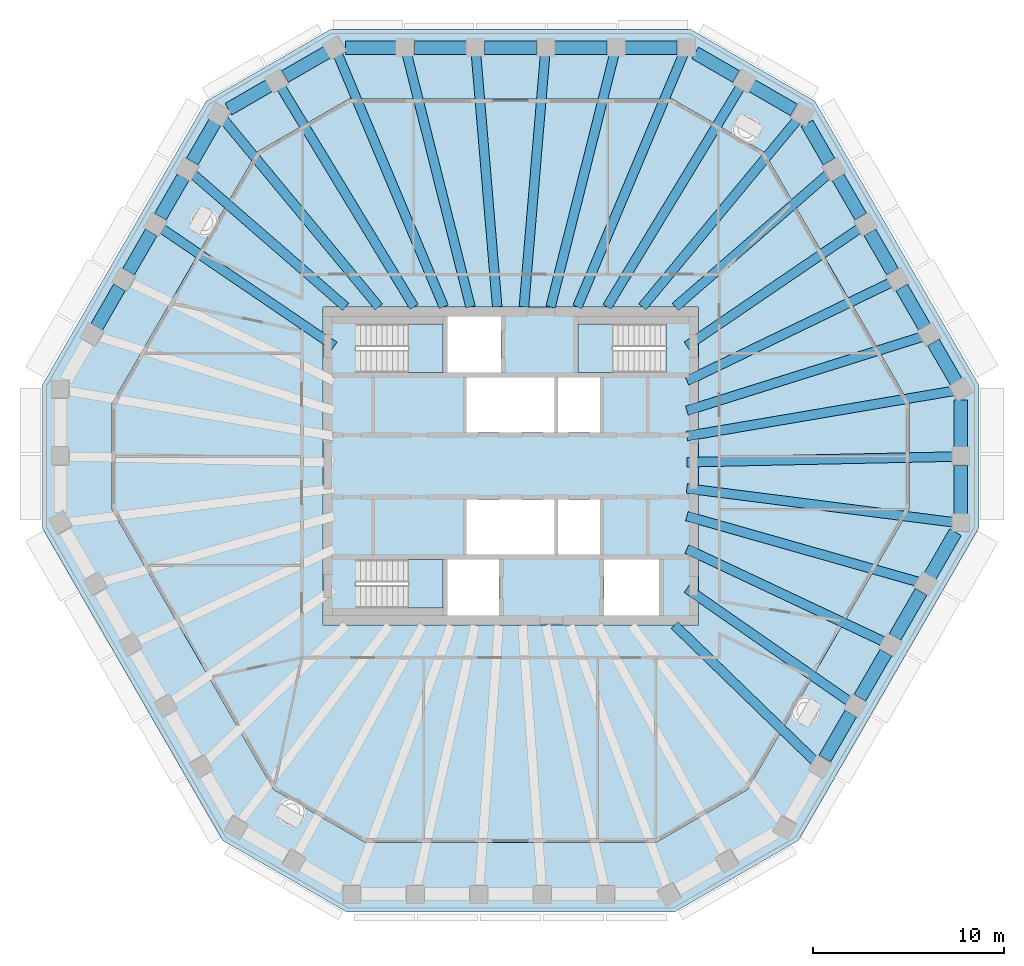
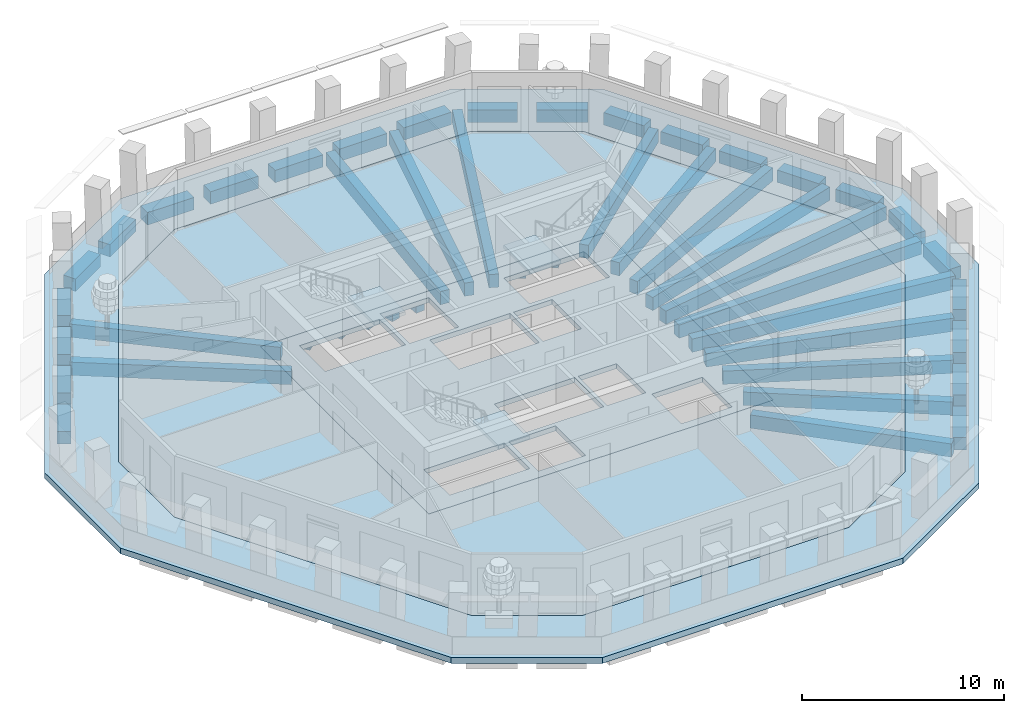
# One storey, part 2 of 11: 47 beams, 6 slabs, 3 elements without a shape of their own.
"""IFC4 building model written with IfcOpenShell, lengths in metres."""

from ifc_helpers import new_model, si_unit, direction, frame, origin, origin_2d, place, context, subcontext, project, spatial, polyline, rectangle, outline, extrude, material, layer, layer_set, material_profile, profile_set, type_object, element, aggregate, save


model = new_model("IFC4")

# Units and contexts
model_context = context("Model", 3, precision=1e-05, world=origin(), true_north=direction((0.0, 1.0)))
body_context = subcontext(model_context, "Body", "Model", "MODEL_VIEW")
ifc_project = project(units=[si_unit("LENGTHUNIT", "METRE"), si_unit("AREAUNIT", "SQUARE_METRE"), si_unit("VOLUMEUNIT", "CUBIC_METRE"), si_unit("PLANEANGLEUNIT", "RADIAN"), si_unit("MASSUNIT", "GRAM", prefix="KILO")], contexts=[model_context])

# Site, building, storey
site_placement = place(None, origin())
site = spatial("IfcSite", under=ifc_project, at=site_placement, CompositionType="ELEMENT")
building_placement = place(site_placement, origin())
building = spatial("IfcBuilding", under=site, at=building_placement, Name="Frailejon Research Tower", CompositionType="ELEMENT")
storey_placement = place(building_placement, frame((0.0, 0.0, 279.0)))
storey = spatial("IfcBuildingStorey", under=building, at=storey_placement, Name="L61", CompositionType="ELEMENT", Elevation=279.0)

# Beams
ifc_material_1 = material(Name="Concrete C60/75", Category="concrete")
ifc_material_profile_1 = material_profile(ifc_material_1, rectangle(XDim=0.5, YDim=0.800048828125, at=origin_2d()), Name="Girder 500x800")
ifc_profile_set_1 = profile_set([ifc_material_profile_1], Name="Concrete C60/75")
beam_type_1 = type_object("IfcBeamType", Name="Girder 500x800", PredefinedType="BEAM", material=ifc_profile_set_1)
beam_1_placement = place(storey_placement, frame((23.287841796875, -2.957763671875, -0.699951171875), z_axis=(-0.992030409181, 0.125998679599, 0.0), x_axis=(-0.125998679599, -0.992030409181, 0.0)))
element("IfcBeam", 1, at=beam_1_placement, inside=storey, type_object=beam_type_1, Name="Girder 500x800", PredefinedType="BEAM", context=body_context, shape_type="SweptSolid", body=[
    extrude(rectangle(XDim=0.5, YDim=0.800048828125, at=origin_2d()), origin(), (0.0, 0.0, 1.0), 14.150634765625),
])
beam_2_placement = place(storey_placement, frame((23.2890625, 0.495849609375, -0.699951171875), z_axis=(-0.999773541209, -0.02128065551, 0.0), x_axis=(0.02128065551, -0.999773541209, 0.0)))
element("IfcBeam", 2, at=beam_2_placement, inside=storey, type_object=beam_type_1, Name="Girder 500x800", PredefinedType="BEAM", context=body_context, shape_type="SweptSolid", body=[
    extrude(rectangle(XDim=0.5, YDim=0.800048828125, at=origin_2d()), origin(), (0.0, 0.0, 1.0), 14.042236328125),
])
beam_3_placement = place(storey_placement, frame((23.262451171875, 3.9453125, -0.699951171875), z_axis=(-0.98591864341, -0.167225681568, 0.0), x_axis=(0.167225681568, -0.98591864341, 0.0)))
element("IfcBeam", 3, at=beam_3_placement, inside=storey, type_object=beam_type_1, Name="Girder 500x800", PredefinedType="BEAM", context=body_context, shape_type="SweptSolid", body=[
    extrude(rectangle(XDim=0.5, YDim=0.800048828125, at=origin_2d()), origin(), (0.0, 0.0, 1.0), 14.212646484375),
])
beam_4_placement = place(storey_placement, frame((21.625244140625, 6.79248046875, -0.699951171875), z_axis=(-0.954046614991, -0.299658232699, 0.0), x_axis=(0.299658232699, -0.954046614991, 0.0)))
element("IfcBeam", 4, at=beam_4_placement, inside=storey, type_object=beam_type_1, Name="Girder 500x800", PredefinedType="BEAM", context=body_context, shape_type="SweptSolid", body=[
    extrude(rectangle(XDim=0.5, YDim=0.800048828125, at=origin_2d()), origin(), (0.0, 0.0, 1.0), 12.971435546875),
])
beam_5_placement = place(storey_placement, frame((19.984619140625, 9.640380859375, -0.699951171875), z_axis=(-0.900683233217, -0.434476366907, 0.0), x_axis=(0.434476366907, -0.900683233217, 0.0)))
element("IfcBeam", 5, at=beam_5_placement, inside=storey, type_object=beam_type_1, Name="Girder 500x800", PredefinedType="BEAM", context=body_context, shape_type="SweptSolid", body=[
    extrude(rectangle(XDim=0.5, YDim=0.800048828125, at=origin_2d()), origin(), (0.0, 0.0, 1.0), 11.918212890625),
])
beam_6_placement = place(storey_placement, frame((18.341064453125, 12.487060546875, -0.699951171875), z_axis=(-0.826608036281, -0.562778068475, 0.0), x_axis=(0.562778068475, -0.826608036281, 0.0)))
element("IfcBeam", 6, at=beam_6_placement, inside=storey, type_object=beam_type_1, Name="Girder 500x800", PredefinedType="BEAM", context=body_context, shape_type="SweptSolid", body=[
    extrude(rectangle(XDim=0.5, YDim=0.800048828125, at=origin_2d()), origin(), (0.0, 0.0, 1.0), 10.998046875),
])
beam_7_placement = place(storey_placement, frame((16.691162109375, 15.34033203125, -0.699951171875), z_axis=(-0.754706145797, -0.656062979824, 0.0), x_axis=(0.656062979824, -0.754706145797, 0.0)))
element("IfcBeam", 7, at=beam_7_placement, inside=storey, type_object=beam_type_1, Name="Girder 500x800", PredefinedType="BEAM", context=body_context, shape_type="SweptSolid", body=[
    extrude(rectangle(XDim=0.5, YDim=0.800048828125, at=origin_2d()), origin(), (0.0, 0.0, 1.0), 10.65478515625),
])
beam_8_placement = place(storey_placement, frame((15.063720703125, 18.1923828125, -0.699951171875), z_axis=(-0.637768282334, -0.770228289566, 0.0), x_axis=(0.770228289566, -0.637768282334, 0.0)))
element("IfcBeam", 8, at=beam_8_placement, inside=storey, type_object=beam_type_1, Name="Girder 500x800", PredefinedType="BEAM", context=body_context, shape_type="SweptSolid", body=[
    extrude(rectangle(XDim=0.5, YDim=0.800048828125, at=origin_2d()), origin(), (0.0, 0.0, 1.0), 12.7783203125),
])
beam_9_placement = place(storey_placement, frame((12.073974609375, 19.9208984375, -0.699951171875), z_axis=(-0.518332908054, -0.855178926558, 0.0), x_axis=(0.855178926558, -0.518332908054, 0.0)))
element("IfcBeam", 9, at=beam_9_placement, inside=storey, type_object=beam_type_1, Name="Girder 500x800", PredefinedType="BEAM", context=body_context, shape_type="SweptSolid", body=[
    extrude(rectangle(XDim=0.5, YDim=0.800048828125, at=origin_2d()), origin(), (0.0, 0.0, 1.0), 13.5302734375),
])
beam_10_placement = place(storey_placement, frame((9.068359375, 21.61328125, -0.699951171875), z_axis=(-0.386901755212, -0.922120942075, 0.0), x_axis=(0.922120942075, -0.386901755212, 0.0)))
element("IfcBeam", 10, at=beam_10_placement, inside=storey, type_object=beam_type_1, Name="Girder 500x800", PredefinedType="BEAM", context=body_context, shape_type="SweptSolid", body=[
    extrude(rectangle(XDim=0.5, YDim=0.800048828125, at=origin_2d()), origin(), (0.0, 0.0, 1.0), 14.38330078125),
])
beam_11_placement = place(storey_placement, frame((5.44287109375, 21.62060546875, -0.699951171875), z_axis=(-0.244130454648, -0.969742399359, 0.0), x_axis=(0.969742399359, -0.244130454648, 0.0)))
element("IfcBeam", 11, at=beam_11_placement, inside=storey, type_object=beam_type_1, Name="Girder 500x800", PredefinedType="BEAM", context=body_context, shape_type="SweptSolid", body=[
    extrude(rectangle(XDim=0.5, YDim=0.800048828125, at=origin_2d()), origin(), (0.0, 0.0, 1.0), 13.6845703125),
])
for number, where, z_axis, x_axis, name in (
    (12, (1.814697265625, 21.62451171875, -0.699951171875), (-0.083627897604, -0.996497052049, 0.0), (0.996497052049, -0.083627897604, 0.0), "Girder 500x800"),
    (13, (-1.814697265625, 21.62451171875, -0.699951171875), (0.083627897604, -0.996497052049, 0.0), (0.996497052049, 0.083627897604, 0.0), "Girder 500x800"),
):
    element("IfcBeam", number, at=place(storey_placement, frame(where, z_axis=z_axis, x_axis=x_axis)), inside=storey, type_object=beam_type_1, Name=name, PredefinedType="BEAM", context=body_context, shape_type="SweptSolid", body=[
        extrude(rectangle(XDim=0.5, YDim=0.800048828125, at=origin_2d()), origin(), (0.0, 0.0, 1.0), 13.321044921875),
    ])
beam_12_placement = place(storey_placement, frame((-5.44287109375, 21.62060546875, -0.699951171875), z_axis=(0.244130454648, -0.969742399359, 0.0), x_axis=(0.969742399359, 0.244130454648, 0.0)))
element("IfcBeam", 14, at=beam_12_placement, inside=storey, type_object=beam_type_1, Name="Girder 500x800", PredefinedType="BEAM", context=body_context, shape_type="SweptSolid", body=[
    extrude(rectangle(XDim=0.5, YDim=0.800048828125, at=origin_2d()), origin(), (0.0, 0.0, 1.0), 13.6845703125),
])
beam_13_placement = place(storey_placement, frame((-9.08251953125, 21.646728515625, -0.699951171875), z_axis=(0.38690920977, -0.922117814271, 0.0), x_axis=(0.922117814271, 0.38690920977, 0.0)))
element("IfcBeam", 15, at=beam_13_placement, inside=storey, type_object=beam_type_1, Name="Girder 500x800", PredefinedType="BEAM", context=body_context, shape_type="SweptSolid", body=[
    extrude(rectangle(XDim=0.5, YDim=0.800048828125, at=origin_2d()), origin(), (0.0, 0.0, 1.0), 14.419677734375),
])
beam_14_placement = place(storey_placement, frame((-12.073974609375, 19.9208984375, -0.699951171875), z_axis=(0.518332908054, -0.855178926558, 0.0), x_axis=(0.855178926558, 0.518332908054, 0.0)))
element("IfcBeam", 16, at=beam_14_placement, inside=storey, type_object=beam_type_1, Name="Girder 500x800", PredefinedType="BEAM", context=body_context, shape_type="SweptSolid", body=[
    extrude(rectangle(XDim=0.5, YDim=0.800048828125, at=origin_2d()), origin(), (0.0, 0.0, 1.0), 13.5302734375),
])
beam_15_placement = place(storey_placement, frame((-15.0478515625, 18.17333984375, -0.699951171875), z_axis=(0.637763580153, -0.770232183066, 0.0), x_axis=(0.770232183066, 0.637763580153, 0.0)))
element("IfcBeam", 17, at=beam_15_placement, inside=storey, type_object=beam_type_1, Name="Girder 500x800", PredefinedType="BEAM", context=body_context, shape_type="SweptSolid", body=[
    extrude(rectangle(XDim=0.5, YDim=0.800048828125, at=origin_2d()), origin(), (0.0, 0.0, 1.0), 12.753662109375),
])
beam_16_placement = place(storey_placement, frame((-16.691162109375, 15.34033203125, -0.699951171875), z_axis=(0.754706145797, -0.656062979824, 0.0), x_axis=(0.656062979824, 0.754706145797, 0.0)))
element("IfcBeam", 18, at=beam_16_placement, inside=storey, type_object=beam_type_1, Name="Girder 500x800", PredefinedType="BEAM", context=body_context, shape_type="SweptSolid", body=[
    extrude(rectangle(XDim=0.5, YDim=0.800048828125, at=origin_2d()), origin(), (0.0, 0.0, 1.0), 10.65478515625),
])
beam_17_placement = place(storey_placement, frame((-18.341064453125, 12.487060546875, -0.699951171875), z_axis=(0.826608036281, -0.562778068475, 0.0), x_axis=(0.562778068475, 0.826608036281, 0.0)))
element("IfcBeam", 19, at=beam_17_placement, inside=storey, type_object=beam_type_1, Name="Girder 500x800", PredefinedType="BEAM", context=body_context, shape_type="SweptSolid", body=[
    extrude(rectangle(XDim=0.5, YDim=0.800048828125, at=origin_2d()), origin(), (0.0, 0.0, 1.0), 10.998046875),
])
beam_18_placement = place(storey_placement, frame((16.00244140625, -15.52392578125, -0.699951171875), z_axis=(-0.71775970398, 0.696290892762, 0.0), x_axis=(-0.696290892762, -0.71775970398, 0.0)))
element("IfcBeam", 20, at=beam_18_placement, inside=storey, type_object=beam_type_1, Name="Girder 500x800", PredefinedType="BEAM", context=body_context, shape_type="SweptSolid", body=[
    extrude(rectangle(XDim=0.5, YDim=0.800048828125, at=origin_2d()), origin(), (0.0, 0.0, 1.0), 10.302978515625),
])
beam_19_placement = place(storey_placement, frame((17.820068359375, -12.3837890625, -0.699951171875), z_axis=(-0.821184515142, 0.570662765643, 0.0), x_axis=(-0.570662765643, -0.821184515142, 0.0)))
element("IfcBeam", 21, at=beam_19_placement, inside=storey, type_object=beam_type_1, Name="Girder 500x800", PredefinedType="BEAM", context=body_context, shape_type="SweptSolid", body=[
    extrude(rectangle(XDim=0.5, YDim=0.800048828125, at=origin_2d()), origin(), (0.0, 0.0, 1.0), 10.436279296875),
])
beam_20_placement = place(storey_placement, frame((19.634521484375, -9.24072265625, -0.699951171875), z_axis=(-0.904806167577, 0.425823671389, 0.0), x_axis=(-0.425823671389, -0.904806167577, 0.0)))
element("IfcBeam", 22, at=beam_20_placement, inside=storey, type_object=beam_type_1, Name="Girder 500x800", PredefinedType="BEAM", context=body_context, shape_type="SweptSolid", body=[
    extrude(rectangle(XDim=0.5, YDim=0.800048828125, at=origin_2d()), origin(), (0.0, 0.0, 1.0), 11.47705078125),
])
beam_21_placement = place(storey_placement, frame((21.4453125, -6.0966796875, -0.699951171875), z_axis=(-0.96188426086, 0.273456886381, 0.0), x_axis=(-0.273456886381, -0.96188426086, 0.0)))
element("IfcBeam", 23, at=beam_21_placement, inside=storey, type_object=beam_type_1, Name="Girder 500x800", PredefinedType="BEAM", context=body_context, shape_type="SweptSolid", body=[
    extrude(rectangle(XDim=0.5, YDim=0.800048828125, at=origin_2d()), origin(), (0.0, 0.0, 1.0), 12.678466796875),
])
ifc_material_2 = material(Name="Concrete C60/75", Category="concrete")
ifc_material_profile_2 = material_profile(ifc_material_2, rectangle(XDim=0.699951171875, YDim=0.75, at=origin_2d()), Name="Spandrel 700x750")
ifc_profile_set_2 = profile_set([ifc_material_profile_2], Name="Concrete C60/75")
beam_type_2 = type_object("IfcBeamType", Name="Spandrel 700x750", PredefinedType="BEAM", material=ifc_profile_set_2)
beam_22_placement = place(storey_placement, frame((23.614013671875, -2.524169921875, -0.72509765625), z_axis=(0.0, 1.0, 0.0), x_axis=(-1.0, 0.0, 0.0)))
element("IfcBeam", 24, at=beam_22_placement, inside=storey, type_object=beam_type_2, Name="Spandrel 700x750", PredefinedType="BEAM", context=body_context, shape_type="SweptSolid", body=[
    extrude(rectangle(XDim=0.699951171875, YDim=0.75, at=origin_2d()), origin(), (0.0, 0.0, 1.0), 2.552001953125),
])
beam_23_placement = place(storey_placement, frame((23.614013671875, 0.977783203125, -0.72509765625), z_axis=(0.0, 1.0, 0.0), x_axis=(-1.0, 0.0, 0.0)))
element("IfcBeam", 25, at=beam_23_placement, inside=storey, type_object=beam_type_2, Name="Spandrel 700x750", PredefinedType="BEAM", context=body_context, shape_type="SweptSolid", body=[
    extrude(rectangle(XDim=0.699951171875, YDim=0.75, at=origin_2d()), origin(), (0.0, 0.0, 1.0), 2.478515625),
])
beam_24_placement = place(storey_placement, frame((23.376708984375, 4.416259765625, -0.72509765625), z_axis=(-0.500079782331, 0.865979336534, 0.0), x_axis=(-0.865979336534, -0.500079782331, 0.0)))
element("IfcBeam", 26, at=beam_24_placement, inside=storey, type_object=beam_type_2, Name="Spandrel 700x750", PredefinedType="BEAM", context=body_context, shape_type="SweptSolid", body=[
    extrude(rectangle(XDim=0.699951171875, YDim=0.75, at=origin_2d()), origin(), (0.0, 0.0, 1.0), 2.38525390625),
])
beam_25_placement = place(storey_placement, frame((21.708984375, 7.3046875, -0.72509765625), z_axis=(-0.500035462246, 0.866004928679, 0.0), x_axis=(-0.866004928679, -0.500035462246, 0.0)))
element("IfcBeam", 27, at=beam_25_placement, inside=storey, type_object=beam_type_2, Name="Spandrel 700x750", PredefinedType="BEAM", context=body_context, shape_type="SweptSolid", body=[
    extrude(rectangle(XDim=0.699951171875, YDim=0.75, at=origin_2d()), origin(), (0.0, 0.0, 1.0), 2.385498046875),
])
beam_26_placement = place(storey_placement, frame((20.041015625, 10.193603515625, -0.72509765625), z_axis=(-0.50000302246, 0.866023658759, 0.0), x_axis=(-0.866023658759, -0.50000302246, 0.0)))
element("IfcBeam", 28, at=beam_26_placement, inside=storey, type_object=beam_type_2, Name="Spandrel 700x750", PredefinedType="BEAM", context=body_context, shape_type="SweptSolid", body=[
    extrude(rectangle(XDim=0.699951171875, YDim=0.75, at=origin_2d()), origin(), (0.0, 0.0, 1.0), 2.38525390625),
])
beam_27_placement = place(storey_placement, frame((18.373291015625, 13.08203125, -0.72509765625), z_axis=(-0.499958704643, 0.866049244357, 0.0), x_axis=(-0.866049244357, -0.499958704643, 0.0)))
element("IfcBeam", 29, at=beam_27_placement, inside=storey, type_object=beam_type_2, Name="Spandrel 700x750", PredefinedType="BEAM", context=body_context, shape_type="SweptSolid", body=[
    extrude(rectangle(XDim=0.699951171875, YDim=0.75, at=origin_2d()), origin(), (0.0, 0.0, 1.0), 2.385498046875),
])
beam_28_placement = place(storey_placement, frame((16.70556640625, 15.970703125, -0.72509765625), z_axis=(-0.500011914892, 0.866018524609, 0.0), x_axis=(-0.866018524609, -0.500011914892, 0.0)))
element("IfcBeam", 30, at=beam_28_placement, inside=storey, type_object=beam_type_2, Name="Spandrel 700x750", PredefinedType="BEAM", context=body_context, shape_type="SweptSolid", body=[
    extrude(rectangle(XDim=0.699951171875, YDim=0.75, at=origin_2d()), origin(), (0.0, 0.0, 1.0), 2.31201171875),
])
beam_29_placement = place(storey_placement, frame((14.864013671875, 18.685546875, -0.72509765625), z_axis=(-0.86605655258, 0.499946044823, 0.0), x_axis=(-0.499946044823, -0.86605655258, 0.0)))
element("IfcBeam", 31, at=beam_29_placement, inside=storey, type_object=beam_type_2, Name="Spandrel 700x750", PredefinedType="BEAM", context=body_context, shape_type="SweptSolid", body=[
    extrude(rectangle(XDim=0.699951171875, YDim=0.75, at=origin_2d()), origin(), (0.0, 0.0, 1.0), 2.552001953125),
])
beam_30_placement = place(storey_placement, frame((11.8310546875, 20.4365234375, -0.72509765625), z_axis=(-0.866003486907, 0.500037959224, 0.0), x_axis=(-0.500037959224, -0.866003486907, 0.0)))
element("IfcBeam", 32, at=beam_30_placement, inside=storey, type_object=beam_type_2, Name="Spandrel 700x750", PredefinedType="BEAM", context=body_context, shape_type="SweptSolid", body=[
    extrude(rectangle(XDim=0.699951171875, YDim=0.75, at=origin_2d()), origin(), (0.0, 0.0, 1.0), 2.478271484375),
])
for number, where, z_axis, x_axis, name in (
    (33, (8.734619140625, 21.949951171875, -0.72509765625), (-1.0, 0.0, 0.0), (0.0, -1.0, 0.0), "Spandrel 700x750"),
    (34, (5.05078125, 21.949951171875, -0.72509765625), (-1.0, 0.0, 0.0), (0.0, -1.0, 0.0), "Spandrel 700x750"),
    (35, (1.366943359375, 21.949951171875, -0.72509765625), (-1.0, 0.0, 0.0), (0.0, -1.0, 0.0), "Spandrel 700x750"),
    (36, (-2.31689453125, 21.949951171875, -0.72509765625), (-1.0, 0.0, 0.0), (0.0, -1.0, 0.0), "Spandrel 700x750"),
):
    element("IfcBeam", number, at=place(storey_placement, frame(where, z_axis=z_axis, x_axis=x_axis)), inside=storey, type_object=beam_type_2, Name=name, PredefinedType="BEAM", context=body_context, shape_type="SweptSolid", body=[
        extrude(rectangle(XDim=0.699951171875, YDim=0.75, at=origin_2d()), origin(), (0.0, 0.0, 1.0), 2.73388671875),
    ])
beam_31_placement = place(storey_placement, frame((-6.000732421875, 21.949951171875, -0.72509765625), z_axis=(-1.0, 0.0, 0.0), x_axis=(0.0, -1.0, 0.0)))
element("IfcBeam", 37, at=beam_31_placement, inside=storey, type_object=beam_type_2, Name="Spandrel 700x750", PredefinedType="BEAM", context=body_context, shape_type="SweptSolid", body=[
    extrude(rectangle(XDim=0.699951171875, YDim=0.75, at=origin_2d()), origin(), (0.0, 0.0, 1.0), 2.660400390625),
])
beam_32_placement = place(storey_placement, frame((-9.62109375, 21.71240234375, -0.72509765625), z_axis=(-0.866032638483, -0.499987468925, 0.0), x_axis=(0.499987468925, -0.866032638483, 0.0)))
element("IfcBeam", 38, at=beam_32_placement, inside=storey, type_object=beam_type_2, Name="Spandrel 700x750", PredefinedType="BEAM", context=body_context, shape_type="SweptSolid", body=[
    extrude(rectangle(XDim=0.699951171875, YDim=0.75, at=origin_2d()), origin(), (0.0, 0.0, 1.0), 2.5517578125),
])
beam_33_placement = place(storey_placement, frame((-12.65380859375, 19.96142578125, -0.72509765625), z_axis=(-0.866028115054, -0.499995303914, 0.0), x_axis=(0.499995303914, -0.866028115054, 0.0)))
element("IfcBeam", 39, at=beam_33_placement, inside=storey, type_object=beam_type_2, Name="Spandrel 700x750", PredefinedType="BEAM", context=body_context, shape_type="SweptSolid", body=[
    extrude(rectangle(XDim=0.699951171875, YDim=0.75, at=origin_2d()), origin(), (0.0, 0.0, 1.0), 2.478515625),
])
for number, where, z_axis, x_axis, name in (
    (40, (-15.5126953125, 18.03662109375, -0.72509765625), (-0.500035462246, -0.866004928679, 0.0), (0.866004928679, -0.500035462246, 0.0), "Spandrel 700x750"),
    (41, (-17.1806640625, 15.14794921875, -0.72509765625), (-0.499958704643, -0.866049244357, 0.0), (0.866049244357, -0.499958704643, 0.0), "Spandrel 700x750"),
):
    element("IfcBeam", number, at=place(storey_placement, frame(where, z_axis=z_axis, x_axis=x_axis)), inside=storey, type_object=beam_type_2, Name=name, PredefinedType="BEAM", context=body_context, shape_type="SweptSolid", body=[
        extrude(rectangle(XDim=0.699951171875, YDim=0.75, at=origin_2d()), origin(), (0.0, 0.0, 1.0), 2.385498046875),
    ])
beam_34_placement = place(storey_placement, frame((-18.848388671875, 12.25927734375, -0.72509765625), z_axis=(-0.50000302246, -0.866023658759, 0.0), x_axis=(0.866023658759, -0.50000302246, 0.0)))
element("IfcBeam", 42, at=beam_34_placement, inside=storey, type_object=beam_type_2, Name="Spandrel 700x750", PredefinedType="BEAM", context=body_context, shape_type="SweptSolid", body=[
    extrude(rectangle(XDim=0.699951171875, YDim=0.75, at=origin_2d()), origin(), (0.0, 0.0, 1.0), 2.38525390625),
])
beam_35_placement = place(storey_placement, frame((-20.51611328125, 9.37060546875, -0.72509765625), z_axis=(-0.500035462246, -0.866004928679, 0.0), x_axis=(0.866004928679, -0.500035462246, 0.0)))
element("IfcBeam", 43, at=beam_35_placement, inside=storey, type_object=beam_type_2, Name="Spandrel 700x750", PredefinedType="BEAM", context=body_context, shape_type="SweptSolid", body=[
    extrude(rectangle(XDim=0.699951171875, YDim=0.75, at=origin_2d()), origin(), (0.0, 0.0, 1.0), 2.385498046875),
])
for number, where, z_axis, x_axis, name in (
    (44, (16.48388671875, -15.34912109375, -0.72509765625), (0.500029098549, 0.866008603077, 0.0), (-0.866008603077, 0.500029098549, 0.0), "Spandrel 700x750"),
    (45, (18.32568359375, -12.15869140625, -0.72509765625), (0.500029098549, 0.866008603077, 0.0), (-0.866008603077, 0.500029098549, 0.0), "Spandrel 700x750"),
):
    element("IfcBeam", number, at=place(storey_placement, frame(where, z_axis=z_axis, x_axis=x_axis)), inside=storey, type_object=beam_type_2, Name=name, PredefinedType="BEAM", context=body_context, shape_type="SweptSolid", body=[
        extrude(rectangle(XDim=0.699951171875, YDim=0.75, at=origin_2d()), origin(), (0.0, 0.0, 1.0), 2.733642578125),
    ])
beam_36_placement = place(storey_placement, frame((20.167724609375, -8.968505859375, -0.72509765625), z_axis=(0.499990428537, 0.866030929801, 0.0), x_axis=(-0.866030929801, 0.499990428537, 0.0)))
element("IfcBeam", 46, at=beam_36_placement, inside=storey, type_object=beam_type_2, Name="Spandrel 700x750", PredefinedType="BEAM", context=body_context, shape_type="SweptSolid", body=[
    extrude(rectangle(XDim=0.699951171875, YDim=0.75, at=origin_2d()), origin(), (0.0, 0.0, 1.0), 2.73388671875),
])
beam_37_placement = place(storey_placement, frame((22.009765625, -5.778076171875, -0.72509765625), z_axis=(0.49996871788, 0.866043463772, 0.0), x_axis=(-0.866043463772, 0.49996871788, 0.0)))
element("IfcBeam", 47, at=beam_37_placement, inside=storey, type_object=beam_type_2, Name="Spandrel 700x750", PredefinedType="BEAM", context=body_context, shape_type="SweptSolid", body=[
    extrude(rectangle(XDim=0.699951171875, YDim=0.75, at=origin_2d()), origin(), (0.0, 0.0, 1.0), 2.660400390625),
])

# Slabs
ifc_material_3 = material(Name="Concrete C50/60", Category="concrete")
ifc_layer_1 = layer(ifc_material_3, 0.300048828125)
ifc_layer_set_1 = layer_set([ifc_layer_1], Name="Core floor slab 300 C50/60")
slab_type_1 = type_object("IfcSlabType", Name="Core floor slab 300 C50/60", PredefinedType="FLOOR", material=ifc_layer_set_1)
slab_1_placement = place(storey_placement, frame((0.0, 0.0, -0.300048828125)))
element("IfcSlab", 48, at=slab_1_placement, inside=storey, type_object=slab_type_1, Name="Core floor slab", PredefinedType="FLOOR", context=body_context, shape_type="SweptSolid", body=[
    extrude(outline(polyline([(9.85009765625, -8.35009765625), (9.85009765625, 8.35009765625), (-9.85009765625, 8.35009765625), (-9.85009765625, -8.35009765625), (9.85009765625, -8.35009765625)]), holes=[polyline([(2.300048828125, 1.75), (2.300048828125, 4.64990234375), (-2.300048828125, 4.64990234375), (-2.300048828125, 1.75), (2.300048828125, 1.75)]), polyline([(4.699951171875, 1.75), (4.699951171875, 4.64990234375), (2.5, 4.64990234375), (2.5, 1.75), (4.699951171875, 1.75)]), polyline([(2.300048828125, -4.64990234375), (2.300048828125, -1.75), (-2.300048828125, -1.75), (-2.300048828125, -4.64990234375), (2.300048828125, -4.64990234375)]), polyline([(4.699951171875, -4.64990234375), (4.699951171875, -1.75), (2.5, -1.75), (2.5, -4.64990234375), (4.699951171875, -4.64990234375)]), polyline([(-8.14697265625, 4.89990234375), (-3.550048828125, 4.89990234375), (-3.550048828125, 7.449951171875), (-8.14697265625, 7.449951171875), (-8.14697265625, 4.89990234375)]), polyline([(-8.14697265625, -7.449951171875), (-3.550048828125, -7.449951171875), (-3.550048828125, -4.89990234375), (-8.14697265625, -4.89990234375), (-8.14697265625, -7.449951171875)]), polyline([(8.14697265625, 7.449951171875), (3.550048828125, 7.449951171875), (3.550048828125, 4.89990234375), (8.14697265625, 4.89990234375), (8.14697265625, 7.449951171875)]), polyline([(-0.60009765625, -7.85009765625), (-0.60009765625, -4.89990234375), (-3.300048828125, -4.89990234375), (-3.300048828125, -7.85009765625), (-0.60009765625, -7.85009765625)]), polyline([(7.800048828125, -7.85009765625), (7.800048828125, -4.89990234375), (4.89990234375, -4.89990234375), (4.89990234375, -7.85009765625), (7.800048828125, -7.85009765625)]), polyline([(-0.5, 4.89990234375), (-0.5, 7.85009765625), (-3.300048828125, 7.85009765625), (-3.300048828125, 4.89990234375), (-0.5, 4.89990234375)])]), origin(), (0.0, 0.0, 1.0), 0.300048828125),
])
ifc_material_4 = material(Name="Concrete C40/50", Category="concrete")
ifc_layer_2 = layer(ifc_material_4, 0.35009765625)
ifc_layer_set_2 = layer_set([ifc_layer_2], Name="Loggia slab 350")
slab_type_2 = type_object("IfcSlabType", Name="Loggia slab 350", PredefinedType="USERDEFINED", material=ifc_layer_set_2)
slab_2_placement = place(storey_placement, frame((0.0, 0.0, -0.35009765625)))
element("IfcSlab", 49, at=slab_2_placement, inside=storey, type_object=slab_type_2, Name="Loggia slab L61", ObjectType="LOGGIA", PredefinedType="USERDEFINED", context=body_context, shape_type="SweptSolid", body=[
    extrude(outline(polyline([(15.099853515625, -19.646240234375), (8.593505859375, -23.40283203125), (-8.593505859375, -23.40283203125), (-15.099853515625, -19.646240234375), (-24.564208984375, -3.253662109375), (-24.564208984375, 4.25927734375), (-15.970703125, 19.1435546875), (-9.46435546875, 22.89990234375), (9.46435546875, 22.89990234375), (15.970703125, 19.1435546875), (24.564208984375, 4.25927734375), (24.564208984375, -3.253662109375), (15.099853515625, -19.646240234375)]), holes=[polyline([(20.9140625, 3.28125), (13.298828125, 16.471435546875), (8.486328125, 19.25), (-8.486328125, 19.25), (-13.298828125, 16.471435546875), (-20.9140625, 3.28125), (-20.9140625, -2.275634765625), (-12.427978515625, -16.974365234375), (-7.615478515625, -19.752685546875), (7.615478515625, -19.752685546875), (12.427978515625, -16.974365234375), (20.9140625, -2.275634765625), (20.9140625, 3.28125)])]), origin(), (0.0, 0.0, 1.0), 0.35009765625),
])
ifc_material_5 = material(Name="Concrete C40/50", Category="concrete")
ifc_layer_3 = layer(ifc_material_5, 0.300048828125)
ifc_layer_set_3 = layer_set([ifc_layer_3], Name="Slab typical 300")
slab_type_3 = type_object("IfcSlabType", Name="Slab typical 300", PredefinedType="FLOOR", material=ifc_layer_set_3)
slab_3_placement = place(storey_placement, frame((0.0, 0.0, -0.300048828125)))
element("IfcSlab", 50, at=slab_3_placement, inside=storey, type_object=slab_type_3, Name="Floor slab L61", PredefinedType="FLOOR", context=body_context, shape_type="SweptSolid", body=[
    extrude(outline(polyline([(20.9140625, -2.275634765625), (20.9140625, 3.28125), (13.298828125, 16.471435546875), (8.486328125, 19.25), (-8.486328125, 19.25), (-13.298828125, 16.471435546875), (-20.9140625, 3.28125), (-20.9140625, -2.275634765625), (-12.427978515625, -16.974365234375), (-7.615478515625, -19.752685546875), (7.615478515625, -19.752685546875), (12.427978515625, -16.974365234375), (20.9140625, -2.275634765625)]), holes=[polyline([(9.25, 8.35009765625), (9.85009765625, 8.35009765625), (9.85009765625, -8.35009765625), (9.25, -8.35009765625), (-9.25, -8.35009765625), (-9.85009765625, -8.35009765625), (-9.85009765625, 8.35009765625), (-9.25, 8.35009765625), (9.25, 8.35009765625)])]), origin(), (0.0, 0.0, 1.0), 0.300048828125),
])

# Stair, slab
ifc_material_6 = material(Name="Concrete C50/60", Category="concrete")
stair_type = type_object("IfcStairType", Name="Exit stair 22 risers", PredefinedType="HALF_TURN_STAIR", material=ifc_material_6)
stair_1_placement = place(storey_placement, origin())
stair_1 = element("IfcStair", 51, at=stair_1_placement, inside=storey, type_object=stair_type, Name="L61 Exit stair ST1", PredefinedType="HALF_TURN_STAIR")
ifc_material_7 = material(Name="Concrete C50/60", Category="concrete")
ifc_layer_4 = layer(ifc_material_7, 0.199951171875)
ifc_layer_set_4 = layer_set([ifc_layer_4], Name="Stair landing slab 200")
slab_type_4 = type_object("IfcSlabType", Name="Stair landing slab 200", PredefinedType="LANDING", material=ifc_layer_set_4)
slab_4_placement = place(storey_placement, frame((0.0, 0.0, 1.800048828125)))
slab_4 = element("IfcSlab", 52, at=slab_4_placement, type_object=slab_type_4, Name="ST1 landing 1", PredefinedType="LANDING", context=body_context, shape_type="SweptSolid", body=[
    extrude(outline(polyline([(-5.35009765625, 4.89990234375), (-3.550048828125, 4.89990234375), (-3.550048828125, 7.449951171875), (-5.35009765625, 7.449951171875), (-5.35009765625, 4.89990234375)])), origin(), (0.0, 0.0, 1.0), 0.199951171875),
])
aggregate(stair_1, [slab_4])

stair_2_placement = place(storey_placement, origin())
stair_2 = element("IfcStair", 53, at=stair_2_placement, inside=storey, type_object=stair_type, Name="L61 Exit stair ST2", PredefinedType="HALF_TURN_STAIR")
slab_5_placement = place(storey_placement, frame((0.0, 0.0, 1.800048828125)))
slab_5 = element("IfcSlab", 54, at=slab_5_placement, type_object=slab_type_4, Name="ST2 landing 1", PredefinedType="LANDING", context=body_context, shape_type="SweptSolid", body=[
    extrude(outline(polyline([(-5.35009765625, -7.449951171875), (-3.550048828125, -7.449951171875), (-3.550048828125, -4.89990234375), (-5.35009765625, -4.89990234375), (-5.35009765625, -7.449951171875)])), origin(), (0.0, 0.0, 1.0), 0.199951171875),
])
aggregate(stair_2, [slab_5])

stair_3_placement = place(storey_placement, origin())
stair_3 = element("IfcStair", 55, at=stair_3_placement, inside=storey, type_object=stair_type, Name="L61 Exit stair ST3", PredefinedType="HALF_TURN_STAIR")
slab_6_placement = place(storey_placement, frame((0.0, 0.0, 1.800048828125)))
slab_6 = element("IfcSlab", 56, at=slab_6_placement, type_object=slab_type_4, Name="ST3 landing 1", PredefinedType="LANDING", context=body_context, shape_type="SweptSolid", body=[
    extrude(outline(polyline([(5.35009765625, 7.449951171875), (3.550048828125, 7.449951171875), (3.550048828125, 4.89990234375), (5.35009765625, 4.89990234375), (5.35009765625, 7.449951171875)])), origin(), (0.0, 0.0, 1.0), 0.199951171875),
])
aggregate(stair_3, [slab_6])

save(model, "model.ifc")
